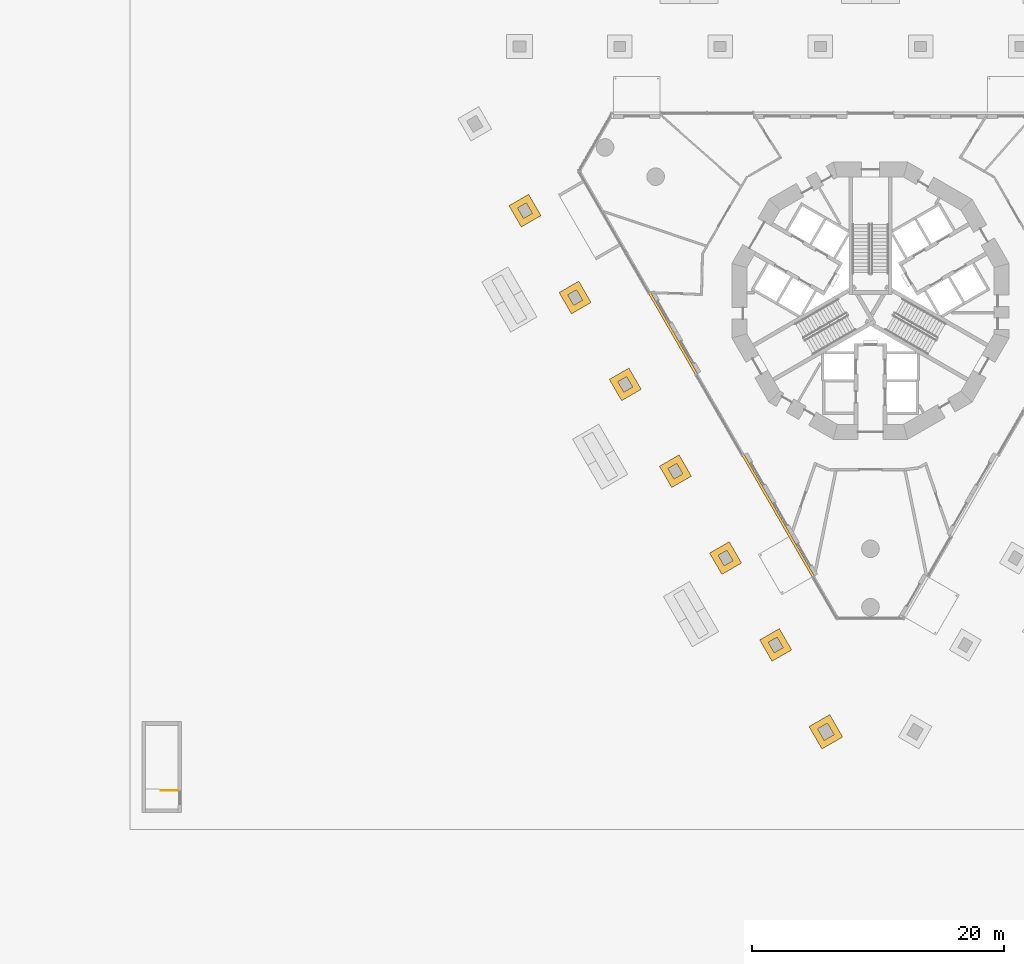
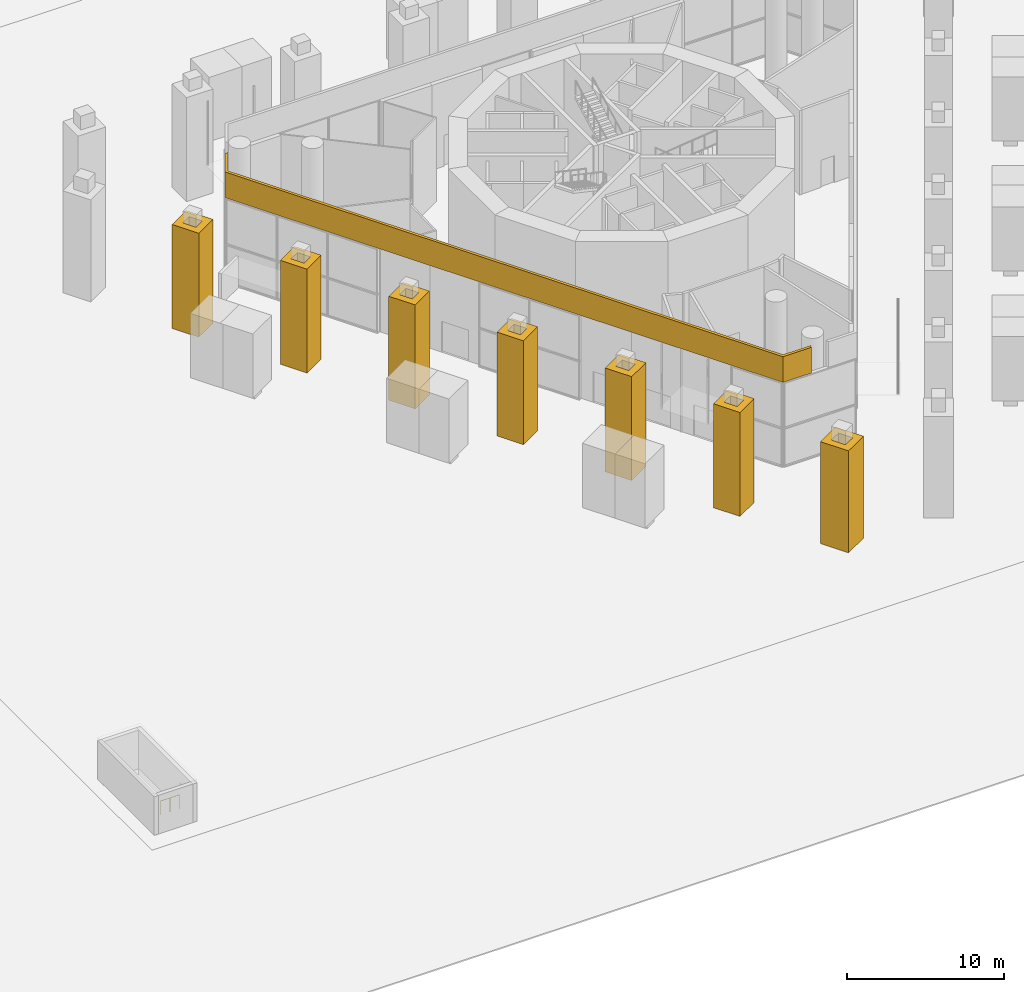
# One storey, part 17 of 26: 8 coverings, 1 railing.
"""IFC4 building model written with IfcOpenShell, lengths in metres."""

from ifc_helpers import new_model, si_unit, direction, frame, origin, origin_2d, place, context, subcontext, project, spatial, polyline, circle, outline, extrude, material, layer, layer_set, type_object, element, save


model = new_model("IFC4")

# Units and contexts
model_context = context("Model", 3, precision=1e-05, world=origin(), true_north=direction((0.0, 1.0)))
body_context = subcontext(model_context, "Body", "Model", "MODEL_VIEW")
ifc_project = project(units=[si_unit("LENGTHUNIT", "METRE"), si_unit("AREAUNIT", "SQUARE_METRE"), si_unit("VOLUMEUNIT", "CUBIC_METRE"), si_unit("PLANEANGLEUNIT", "RADIAN"), si_unit("MASSUNIT", "GRAM", prefix="KILO")], contexts=[model_context])

# Site, building, storey
site_placement = place(None, origin())
site = spatial("IfcSite", under=ifc_project, at=site_placement, CompositionType="ELEMENT")
building_placement = place(site_placement, origin())
building = spatial("IfcBuilding", under=site, at=building_placement, Name="Trine Commons Tower", CompositionType="ELEMENT")
storey_placement = place(building_placement, origin())
storey = spatial("IfcBuildingStorey", under=building, at=storey_placement, Name="L00", CompositionType="ELEMENT", Elevation=0.0)

# Coverings
ifc_material_1 = material(Name="Limestone, honed", Category="masonry")
ifc_layer_1 = layer(ifc_material_1, 0.5)
ifc_layer_set_1 = layer_set([ifc_layer_1], Name="Limestone, honed")
covering_type_1 = type_object("IfcCoveringType", Name="Limestone pier cladding 500", PredefinedType="CLADDING", material=ifc_layer_set_1)
covering_1_placement = place(storey_placement, origin())
element("IfcCovering", 1, at=covering_1_placement, inside=storey, type_object=covering_type_1, Name="Limestone stilt pier cladding 03", PredefinedType="CLADDING", context=body_context, shape_type="SweptSolid", body=[
    extrude(outline(polyline([(52.857421875, 70.943359375), (51.298583984375, 70.043212890625), (52.2734375, 68.3544921875), (53.832275390625, 69.25439453125), (52.857421875, 70.943359375)]), holes=[polyline([(52.67431640625, 70.26025390625), (51.9814453125, 69.8603515625), (52.45654296875, 69.03759765625), (53.1494140625, 69.4375), (52.67431640625, 70.26025390625)])]), origin(), (0.0, 0.0, 1.0), 8.080078125),
])
covering_2_placement = place(storey_placement, origin())
element("IfcCovering", 2, at=covering_2_placement, inside=storey, type_object=covering_type_1, Name="Limestone stilt pier cladding 04", PredefinedType="CLADDING", context=body_context, shape_type="SweptSolid", body=[
    extrude(outline(polyline([(56.839111328125, 64.046875), (55.2802734375, 63.146728515625), (56.255126953125, 61.4580078125), (57.81396484375, 62.35791015625), (56.839111328125, 64.046875)]), holes=[polyline([(56.656005859375, 63.36376953125), (55.963134765625, 62.9638671875), (56.438232421875, 62.14111328125), (57.131103515625, 62.541015625), (56.656005859375, 63.36376953125)])]), origin(), (0.0, 0.0, 1.0), 8.080078125),
])
covering_3_placement = place(storey_placement, origin())
element("IfcCovering", 3, at=covering_3_placement, inside=storey, type_object=covering_type_1, Name="Limestone stilt pier cladding 06", PredefinedType="CLADDING", context=body_context, shape_type="SweptSolid", body=[
    extrude(outline(polyline([(60.82080078125, 57.150390625), (59.261962890625, 56.250244140625), (60.23681640625, 54.5615234375), (61.795654296875, 55.46142578125), (60.82080078125, 57.150390625)]), holes=[polyline([(60.6376953125, 56.46728515625), (59.94482421875, 56.0673828125), (60.419921875, 55.244384765625), (61.11279296875, 55.64453125), (60.6376953125, 56.46728515625)])]), origin(), (0.0, 0.0, 1.0), 8.080078125),
])
covering_4_placement = place(storey_placement, origin())
element("IfcCovering", 4, at=covering_4_placement, inside=storey, type_object=covering_type_1, Name="Limestone stilt pier cladding 07", PredefinedType="CLADDING", context=body_context, shape_type="SweptSolid", body=[
    extrude(outline(polyline([(64.802490234375, 50.25390625), (63.24365234375, 49.35400390625), (64.218505859375, 47.6650390625), (65.77734375, 48.565185546875), (64.802490234375, 50.25390625)]), holes=[polyline([(64.619384765625, 49.57080078125), (63.926513671875, 49.1708984375), (64.401611328125, 48.34814453125), (65.094482421875, 48.748046875), (64.619384765625, 49.57080078125)])]), origin(), (0.0, 0.0, 1.0), 8.080078125),
])
covering_5_placement = place(storey_placement, origin())
element("IfcCovering", 5, at=covering_5_placement, inside=storey, type_object=covering_type_1, Name="Limestone stilt pier cladding 09", PredefinedType="CLADDING", context=body_context, shape_type="SweptSolid", body=[
    extrude(outline(polyline([(68.783935546875, 43.357421875), (67.22509765625, 42.45751953125), (68.2001953125, 40.7685546875), (69.759033203125, 41.668701171875), (68.783935546875, 43.357421875)]), holes=[polyline([(68.60107421875, 42.67431640625), (67.908203125, 42.2744140625), (68.38330078125, 41.45166015625), (69.075927734375, 41.8515625), (68.60107421875, 42.67431640625)])]), origin(), (0.0, 0.0, 1.0), 8.080078125),
])
covering_6_placement = place(storey_placement, origin())
element("IfcCovering", 6, at=covering_6_placement, inside=storey, type_object=covering_type_1, Name="Limestone stilt pier cladding 10", PredefinedType="CLADDING", context=body_context, shape_type="SweptSolid", body=[
    extrude(outline(polyline([(72.765625, 36.4609375), (71.206787109375, 35.560791015625), (72.181884765625, 33.8720703125), (73.74072265625, 34.772216796875), (72.765625, 36.4609375)]), holes=[polyline([(72.582763671875, 35.77783203125), (71.889892578125, 35.3779296875), (72.364990234375, 34.55517578125), (73.0576171875, 34.955078125), (72.582763671875, 35.77783203125)])]), origin(), (0.0, 0.0, 1.0), 8.080078125),
])
covering_7_placement = place(storey_placement, origin())
element("IfcCovering", 7, at=covering_7_placement, inside=storey, type_object=covering_type_1, Name="Limestone stilt pier cladding 12", PredefinedType="CLADDING", context=body_context, shape_type="SweptSolid", body=[
    extrude(outline(polyline([(76.765625, 29.6328125), (75.120361328125, 28.6826171875), (76.145263671875, 26.9072265625), (77.790771484375, 27.857421875), (76.765625, 29.6328125)]), holes=[polyline([(76.582763671875, 28.94970703125), (75.80322265625, 28.499755859375), (76.328369140625, 27.59033203125), (77.107666015625, 28.040283203125), (76.582763671875, 28.94970703125)])]), origin(), (0.0, 0.0, 1.0), 7.929931640625),
])
ifc_material_2 = material(Name="Anodised aluminium cladding, bronze finish", Category="aluminium")
ifc_layer_2 = layer(ifc_material_2, 0.199951171875)
ifc_layer_set_2 = layer_set([ifc_layer_2], Name="Anodised aluminium cladding, bronze finish")
covering_type_2 = type_object("IfcCoveringType", Name="Pavilion fascia panel 200", PredefinedType="CLADDING", material=ifc_layer_set_2)
covering_8_placement = place(storey_placement, frame((0.0, 0.0, 6.60009765625)))
element("IfcCovering", 8, at=covering_8_placement, inside=storey, type_object=covering_type_2, Name="Pavilion fascia 1", PredefinedType="CLADDING", context=body_context, shape_type="SweptSolid", body=[
    extrude(outline(polyline([(77.28662109375, 37.230712890625), (79.368896484375, 37.230712890625), (79.4404296875, 37.430908203125), (77.40185546875, 37.430908203125), (56.990478515625, 72.78466796875), (58.009765625, 74.550048828125), (57.800537109375, 74.587890625), (56.759521484375, 72.78466796875), (77.28662109375, 37.230712890625)])), origin(), (0.0, 0.0, 1.0), 2.0),
])

# Railing
ifc_material_3 = material(Name="Structural steel ASTM A500 Gr C", Category="steel")
railing_type = type_object("IfcRailingType", Name="Steel guard 1120 mm, ASTM A500 Gr C", PredefinedType="GUARDRAIL", material=ifc_material_3)
railing_placement = place(storey_placement, frame((25.0, 23.60009765625, 0.0)))
element("IfcRailing", 9, at=railing_placement, inside=storey, type_object=railing_type, Name="L00 STB1 top well guard 1", PredefinedType="GUARDRAIL", context=body_context, shape_type="SweptSolid", body=[
    extrude(circle(Radius=0.02392578125, at=origin_2d()), frame((0.0, 0.0, 1.09619140625), z_axis=(-1.0, 0.0, 0.0), x_axis=(0.0, -1.0, 0.0)), (0.0, 0.0, 1.0), 1.35009765625),
    extrude(circle(Radius=0.02099609375, at=origin_2d()), origin(), (0.0, 0.0, 1.0), 1.072021484375),
    extrude(circle(Radius=0.02099609375, at=origin_2d()), frame((-0.675048828125, 0.0, 0.0)), (0.0, 0.0, 1.0), 1.072021484375),
    extrude(circle(Radius=0.02099609375, at=origin_2d()), frame((-1.35009765625, 0.0, 0.0)), (0.0, 0.0, 1.0), 1.072021484375),
])

save(model, "model.ifc")
